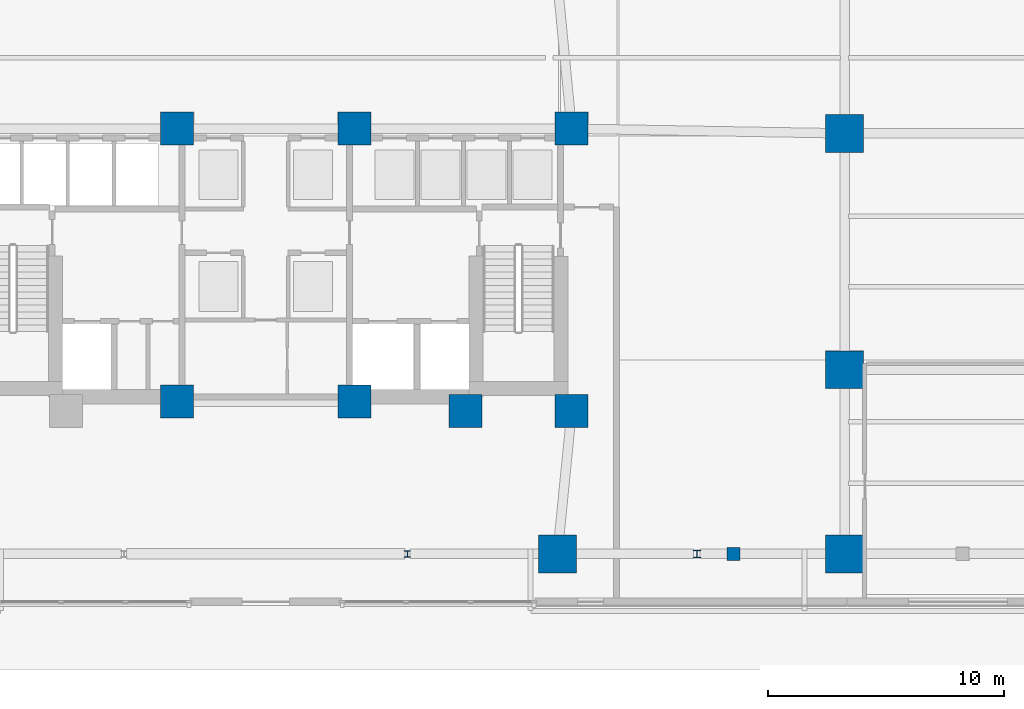
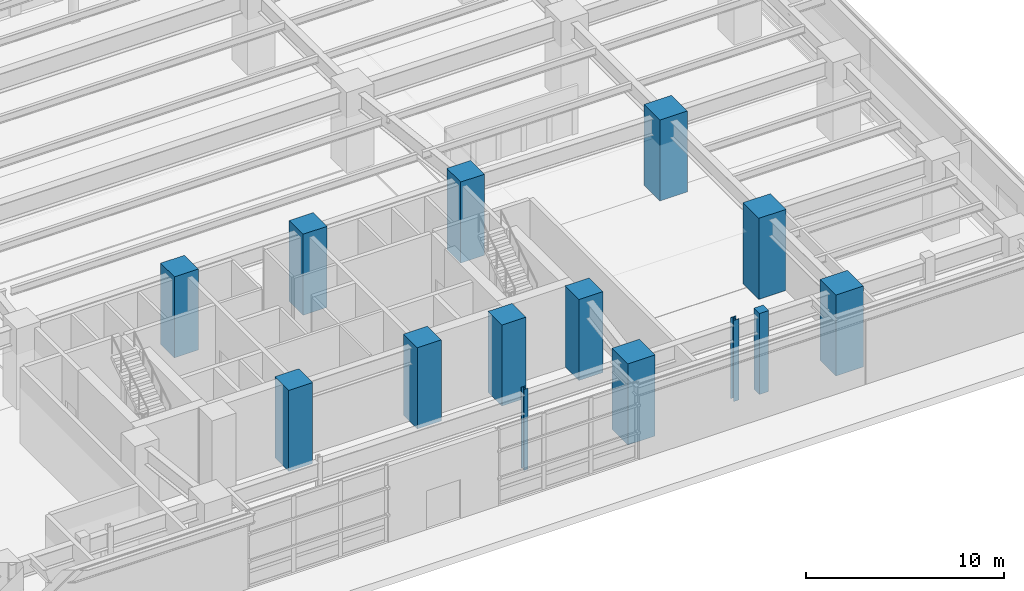
# One storey, part 3 of 26: 14 columns.
"""IFC4 building model written with IfcOpenShell, lengths in metres."""

from ifc_helpers import new_model, si_unit, direction, frame, origin, origin_2d, place, context, subcontext, project, spatial, rectangle, i_section, extrude, material, material_profile, profile_set, type_object, element, save


model = new_model("IFC4")

# Units and contexts
model_context = context("Model", 3, precision=1e-05, world=origin(), true_north=direction((0.0, 1.0)))
body_context = subcontext(model_context, "Body", "Model", "MODEL_VIEW")
ifc_project = project(units=[si_unit("LENGTHUNIT", "METRE"), si_unit("AREAUNIT", "SQUARE_METRE"), si_unit("VOLUMEUNIT", "CUBIC_METRE"), si_unit("PLANEANGLEUNIT", "RADIAN"), si_unit("MASSUNIT", "GRAM", prefix="KILO")], contexts=[model_context])

# Site, building, storey
site_placement = place(None, origin())
site = spatial("IfcSite", under=ifc_project, at=site_placement, CompositionType="ELEMENT")
building_placement = place(site_placement, origin())
building = spatial("IfcBuilding", under=site, at=building_placement, Name="Quenlor Broadcast Tower", CompositionType="ELEMENT")
storey_placement = place(building_placement, origin())
storey = spatial("IfcBuildingStorey", under=building, at=storey_placement, Name="L00", CompositionType="ELEMENT", Elevation=0.0)

# Columns
ifc_material_1 = material(Name="Concrete C65/80", Category="concrete")
ifc_material_profile_1 = material_profile(ifc_material_1, rectangle(XDim=1.39990234375, YDim=1.39990234375, at=origin_2d()))
ifc_profile_set_1 = profile_set([ifc_material_profile_1], Name="Concrete C65/80 RC1400x1400")
column_type_1 = type_object("IfcColumnType", Name="Core Corner Column Lower Concrete C65/80 1400", PredefinedType="COLUMN", material=ifc_profile_set_1)
for number, where, z_axis, x_axis, name in (
    (1, (-3.75, -16.35009765625, 0.0), (0.0, 0.0, 1.0), (1.0, 0.0, 0.0), "L00 Core Column CC3"),
    (2, (3.75, -16.35009765625, 0.0), (0.0, 0.0, 1.0), (1.0, 0.0, 0.0), "L00 Core Column CC4"),
    (3, (8.449951171875, -16.75, 0.0), (0.0, 0.0, 1.0), (1.0, 0.0, 0.0), "L00 Core Column CC5"),
    (4, (12.949951171875, -16.75, 0.0), (0.0, 0.0, 1.0), (1.0, 0.0, 0.0), "L00 Core Column CC6"),
    (5, (-3.75, -4.800048828125, 0.0), (0.0, 0.0, 1.0), (1.0, 0.0, 0.0), "L00 Core Column CC8"),
    (6, (3.75, -4.800048828125, 0.0), (0.0, 0.0, 1.0), (1.0, 0.0, 0.0), "L00 Core Column CC9"),
    (7, (12.949951171875, -4.800048828125, 0.0), (0.0, 0.0, 1.0), (1.0, 0.0, 0.0), "L00 Core Column CC10"),
):
    element("IfcColumn", number, at=place(storey_placement, frame(where, z_axis=z_axis, x_axis=x_axis)), inside=storey, type_object=column_type_1, Name=name, PredefinedType="COLUMN", context=body_context, shape_type="SweptSolid", body=[
        extrude(rectangle(XDim=1.39990234375, YDim=1.39990234375, at=origin_2d()), origin(), (0.0, 0.0, 1.0), 5.0),
    ])
ifc_material_2 = material(Name="Steel S355", Category="steel")
ifc_material_profile_2 = material_profile(ifc_material_2, i_section(OverallWidth=0.30908203125, OverallDepth=0.320556640625, WebThickness=0.013916015625, FlangeThickness=0.021728515625, FilletRadius=0.0166015625, at=origin_2d()))
ifc_profile_set_2 = profile_set([ifc_material_profile_2], Name="Steel S355 310UC137")
column_type_2 = type_object("IfcColumnType", Name="Podium Canopy Post Steel S355 310UC137", PredefinedType="COLUMN", material=ifc_profile_set_2)
column_1_placement = place(storey_placement, frame((18.25, -22.800048828125, 0.0), z_axis=(0.0, 0.0, 1.0), x_axis=(1.0, 0.0, 0.0)))
element("IfcColumn", 8, at=column_1_placement, inside=storey, type_object=column_type_2, Name="L00 Station Steel Column SPE1", PredefinedType="COLUMN", context=body_context, shape_type="SweptSolid", body=[
    extrude(i_section(OverallWidth=0.30908203125, OverallDepth=0.320556640625, WebThickness=0.013916015625, FlangeThickness=0.021728515625, FilletRadius=0.0166015625, at=origin_2d()), origin(), (0.0, 0.0, 1.0), 5.0),
])
ifc_material_3 = material(Name="Steel S355", Category="steel")
ifc_material_profile_3 = material_profile(ifc_material_3, i_section(OverallWidth=0.256103515625, OverallDepth=0.260009765625, WebThickness=0.010498046875, FlangeThickness=0.017333984375, FilletRadius=0.013916015625, at=origin_2d()))
ifc_profile_set_3 = profile_set([ifc_material_profile_3], Name="Steel S355 250UC89.5")
column_type_3 = type_object("IfcColumnType", Name="Podium Gallery Post Steel S355 250UC89.5", PredefinedType="COLUMN", material=ifc_profile_set_3)
column_2_placement = place(storey_placement, frame((6.0, -22.800048828125, 0.0), z_axis=(0.0, 0.0, 1.0), x_axis=(1.0, 0.0, 0.0)))
element("IfcColumn", 9, at=column_2_placement, inside=storey, type_object=column_type_3, Name="L00 Station Steel Column SPE2", PredefinedType="COLUMN", context=body_context, shape_type="SweptSolid", body=[
    extrude(i_section(OverallWidth=0.256103515625, OverallDepth=0.260009765625, WebThickness=0.010498046875, FlangeThickness=0.017333984375, FilletRadius=0.013916015625, at=origin_2d()), origin(), (0.0, 0.0, 1.0), 5.0),
])
ifc_material_4 = material(Name="Concrete C65/80", Category="concrete")
ifc_material_profile_4 = material_profile(ifc_material_4, rectangle(XDim=1.60009765625, YDim=1.60009765625, at=origin_2d()))
ifc_profile_set_4 = profile_set([ifc_material_profile_4], Name="Concrete C65/80 RC1600x1600")
column_type_4 = type_object("IfcColumnType", Name="Podium Mega Column Concrete C65/80 1600", PredefinedType="COLUMN", material=ifc_profile_set_4)
for number, where, z_axis, x_axis, name in (
    (10, (12.35009765625, -22.800048828125, 0.0), (0.0, 0.0, 1.0), (1.0, 0.0, 0.0), "L00 Podium Mega Column PM4"),
    (11, (24.5, -22.800048828125, 0.0), (0.0, 0.0, 1.0), (1.0, 0.0, 0.0), "L00 Podium Mega Column PM5"),
    (12, (24.5, -15.0, 0.0), (0.0, 0.0, 1.0), (1.0, 0.0, 0.0), "L00 Podium Mega Column PM9"),
    (13, (24.5, -5.0, 0.0), (0.0, 0.0, 1.0), (1.0, 0.0, 0.0), "L00 Podium Mega Column PM13"),
):
    element("IfcColumn", number, at=place(storey_placement, frame(where, z_axis=z_axis, x_axis=x_axis)), inside=storey, type_object=column_type_4, Name=name, PredefinedType="COLUMN", context=body_context, shape_type="SweptSolid", body=[
        extrude(rectangle(XDim=1.60009765625, YDim=1.60009765625, at=origin_2d()), origin(), (0.0, 0.0, 1.0), 5.0),
    ])
ifc_material_5 = material(Name="Concrete C50/60", Category="concrete")
ifc_material_profile_5 = material_profile(ifc_material_5, rectangle(XDim=0.550048828125, YDim=0.550048828125, at=origin_2d()))
ifc_profile_set_5 = profile_set([ifc_material_profile_5], Name="Concrete C50/60 PIL550x550")
column_type_5 = type_object("IfcColumnType", Name="Station Colonnade Pilaster Concrete C50/60 550", PredefinedType="PILASTER", material=ifc_profile_set_5)
column_3_placement = place(storey_placement, frame((19.800048828125, -22.800048828125, 0.0), z_axis=(0.0, 0.0, 1.0), x_axis=(1.0, 0.0, 0.0)))
element("IfcColumn", 14, at=column_3_placement, inside=storey, type_object=column_type_5, Name="L00 Colonnade Pilaster S3", PredefinedType="PILASTER", context=body_context, shape_type="SweptSolid", body=[
    extrude(rectangle(XDim=0.550048828125, YDim=0.550048828125, at=origin_2d()), origin(), (0.0, 0.0, 1.0), 5.0),
])

save(model, "model.ifc")
